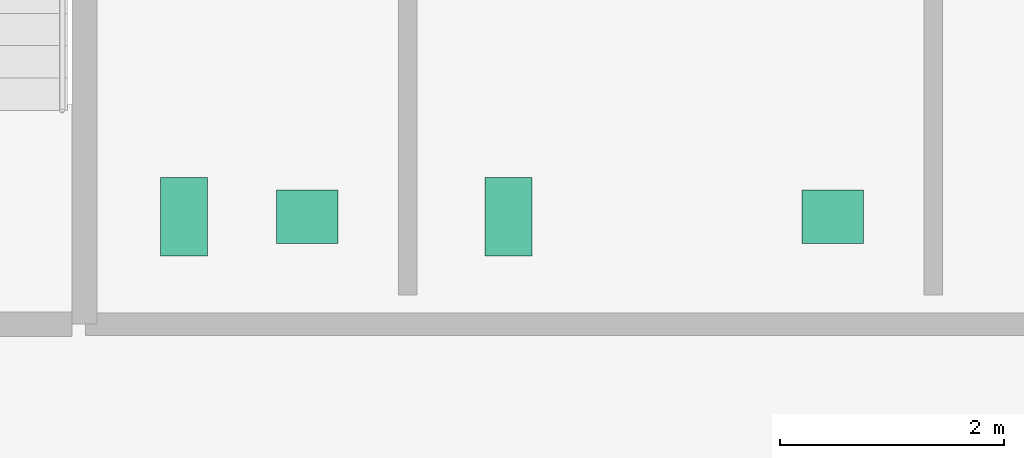
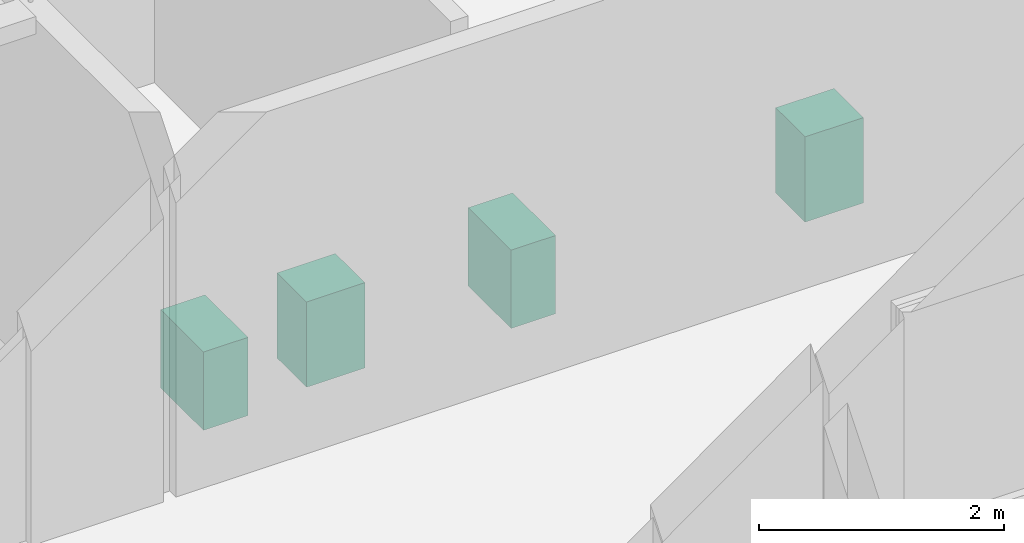
# One storey, part 12 of 12: 4 sanitary terminals.
"""IFC4 building model written with IfcOpenShell, lengths in metres."""

from ifc_helpers import new_model, si_unit, direction, frame, origin, origin_2d, place, context, subcontext, project, spatial, rectangle, extrude, material, type_object, element, save


model = new_model("IFC4")

# Units and contexts
model_context = context("Model", 3, precision=1e-05, world=origin(), true_north=direction((0.0, 1.0)))
body_context = subcontext(model_context, "Body", "Model", "MODEL_VIEW")
ifc_project = project(units=[si_unit("LENGTHUNIT", "METRE"), si_unit("AREAUNIT", "SQUARE_METRE"), si_unit("VOLUMEUNIT", "CUBIC_METRE"), si_unit("PLANEANGLEUNIT", "RADIAN"), si_unit("MASSUNIT", "GRAM", prefix="KILO")], contexts=[model_context])

# Site, building, storey
site_placement = place(None, origin())
site = spatial("IfcSite", under=ifc_project, at=site_placement, CompositionType="ELEMENT")
building_placement = place(site_placement, origin())
building = spatial("IfcBuilding", under=site, at=building_placement, Name="Norrvale University Quadrangle", CompositionType="ELEMENT")
storey_placement = place(building_placement, frame((0.0, 0.0, 237.0)))
storey = spatial("IfcBuildingStorey", under=building, at=storey_placement, Name="L60", CompositionType="ELEMENT", Elevation=237.0)

# Sanitary terminals
ifc_material = material(Name="Vitreous China Sanitaryware")
sanitary_terminal_type_1 = type_object("IfcSanitaryTerminalType", Name="Sanitary Wash Basin", PredefinedType="WASHHANDBASIN", material=ifc_material)
for number, where, z_axis, x_axis, name in (
    (1, (8.300048828125, 41.10009765625, 0.0), (0.0, 0.0, 1.0), (1.0, 0.0, 0.0), "Accessible Countertop Washbasin L60-1"),
    (2, (13.0, 41.10009765625, 0.0), (0.0, 0.0, 1.0), (1.0, 0.0, 0.0), "Accessible Countertop Washbasin L60-2"),
):
    element("IfcSanitaryTerminal", number, at=place(storey_placement, frame(where, z_axis=z_axis, x_axis=x_axis)), inside=storey, type_object=sanitary_terminal_type_1, Name=name, PredefinedType="WASHHANDBASIN", context=body_context, shape_type="SweptSolid", body=[
        extrude(rectangle(XDim=0.550048828125, YDim=0.47998046875, at=origin_2d()), origin(), (0.0, 0.0, 1.0), 0.85009765625),
    ])
sanitary_terminal_type_2 = type_object("IfcSanitaryTerminalType", Name="Sanitary Water Closet", PredefinedType="TOILETPAN", material=ifc_material)
for number, where, z_axis, x_axis, name in (
    (3, (7.199951171875, 41.10009765625, 0.0), (0.0, 0.0, 1.0), (1.0, 0.0, 0.0), "Wall-Hung Water Closet L60-1"),
    (4, (10.10009765625, 41.10009765625, 0.0), (0.0, 0.0, 1.0), (1.0, 0.0, 0.0), "Wall-Hung Water Closet L60-2"),
):
    element("IfcSanitaryTerminal", number, at=place(storey_placement, frame(where, z_axis=z_axis, x_axis=x_axis)), inside=storey, type_object=sanitary_terminal_type_2, Name=name, PredefinedType="TOILETPAN", context=body_context, shape_type="SweptSolid", body=[
        extrude(rectangle(XDim=0.419921875, YDim=0.699951171875, at=origin_2d()), origin(), (0.0, 0.0, 1.0), 0.780029296875),
    ])

save(model, "model.ifc")
